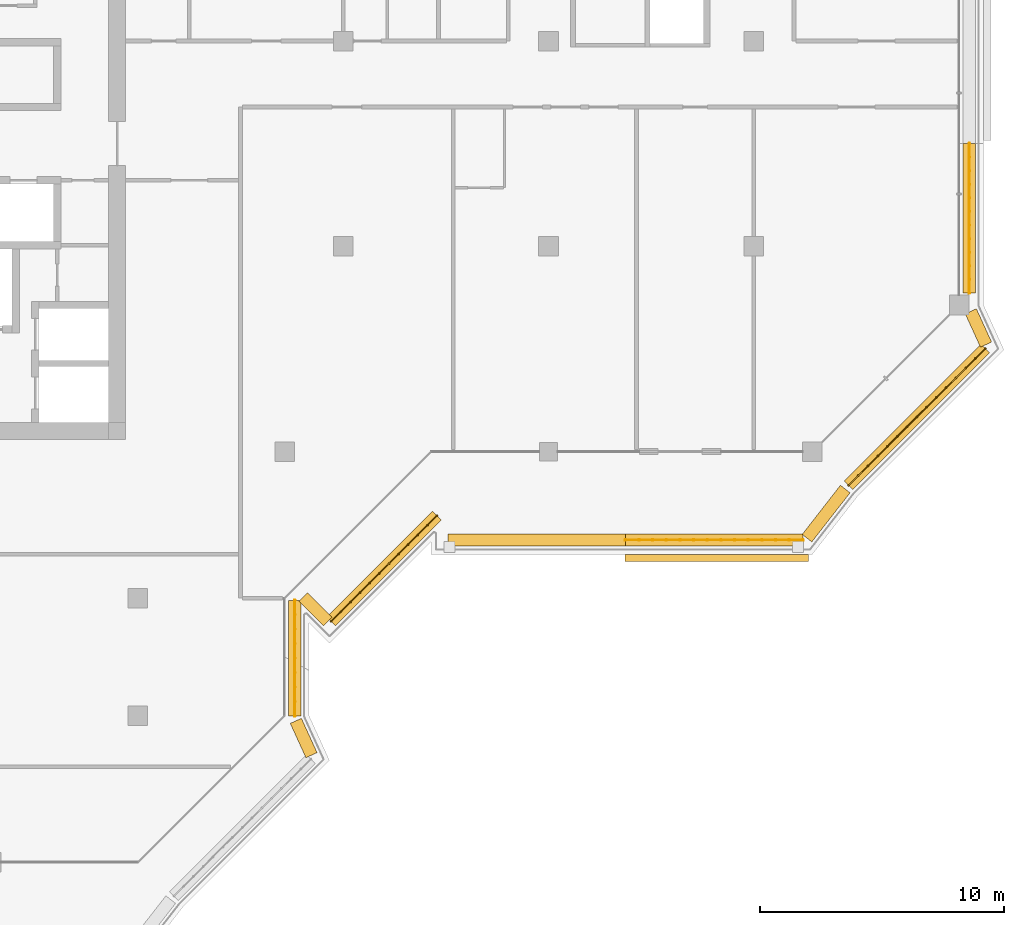
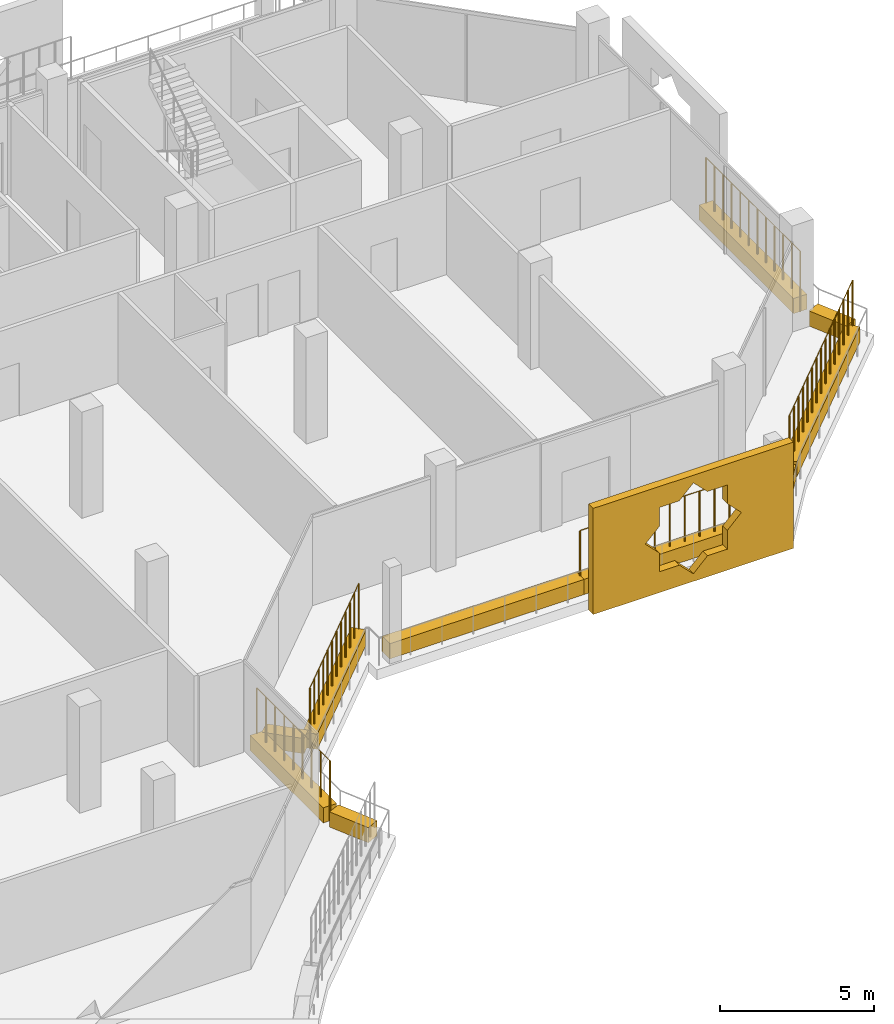
# One storey, part 18 of 21: 11 coverings, 5 railings.
"""IFC4 building model written with IfcOpenShell, lengths in metres."""

from ifc_helpers import new_model, si_unit, direction, frame, origin, origin_2d, place, context, subcontext, project, spatial, polyline, rectangle, circle, outline, extrude, material, material_profile, profile_set, type_object, element, save


model = new_model("IFC4")

# Units and contexts
model_context = context("Model", 3, precision=1e-05, world=origin(), true_north=direction((0.0, 1.0)))
body_context = subcontext(model_context, "Body", "Model", "MODEL_VIEW")
ifc_project = project(units=[si_unit("LENGTHUNIT", "METRE"), si_unit("AREAUNIT", "SQUARE_METRE"), si_unit("VOLUMEUNIT", "CUBIC_METRE"), si_unit("PLANEANGLEUNIT", "RADIAN"), si_unit("MASSUNIT", "GRAM", prefix="KILO")], contexts=[model_context])

# Site, building, storey
site_placement = place(None, origin())
site = spatial("IfcSite", under=ifc_project, at=site_placement, CompositionType="ELEMENT")
building_placement = place(site_placement, origin())
building = spatial("IfcBuilding", under=site, at=building_placement, Name="Kawkab Arch Medical Tower", CompositionType="ELEMENT")
storey_placement = place(building_placement, frame((0.0, 0.0, 302.800048828125)))
storey = spatial("IfcBuildingStorey", under=building, at=storey_placement, Name="L70", CompositionType="ELEMENT", Elevation=302.800048828125)

# Coverings
ifc_material_1 = material(Name="Bronze anodised aluminium mashrabiya panel, eight-point star pattern", Category="aluminium")
ifc_material_profile_1 = material_profile(ifc_material_1, outline(polyline([(-3.75, -2.10009765625), (3.75, -2.10009765625), (3.75, 2.10009765625), (-3.75, 2.10009765625), (-3.75, -2.10009765625)]), holes=[polyline([(1.800048828125, 0.0), (1.272705078125, 0.527099609375), (1.272705078125, 1.272705078125), (0.527099609375, 1.272705078125), (0.0, 1.800048828125), (-0.527099609375, 1.272705078125), (-1.272705078125, 1.272705078125), (-1.272705078125, 0.527099609375), (-1.800048828125, 0.0), (-1.272705078125, -0.527099609375), (-1.272705078125, -1.272705078125), (-0.527099609375, -1.272705078125), (0.0, -1.800048828125), (0.527099609375, -1.272705078125), (1.272705078125, -1.272705078125), (1.272705078125, -0.527099609375), (1.800048828125, 0.0)])]), Name="Mashrabiya panel 7500x4200")
ifc_profile_set_1 = profile_set([ifc_material_profile_1], Name="Bronze anodised aluminium mashrabiya panel, eight-point star pattern")
covering_type_1 = type_object("IfcCoveringType", Name="Mashrabiya panel 7500 x 4200", PredefinedType="USERDEFINED", material=ifc_profile_set_1)
covering_1_placement = place(storey_placement, frame((48.87890625, -29.39990234375, 1.699951171875), z_axis=(0.0, -1.0, 0.0), x_axis=(1.0, 0.0, 0.0)))
element("IfcCovering", 1, at=covering_1_placement, inside=storey, type_object=covering_type_1, Name="Mashrabiya panel L70.LOG-01-01.7", ObjectType="SCREEN", PredefinedType="USERDEFINED", context=body_context, shape_type="SweptSolid", body=[
    extrude(outline(polyline([(-3.75, -2.10009765625), (3.75, -2.10009765625), (3.75, 2.10009765625), (-3.75, 2.10009765625), (-3.75, -2.10009765625)]), holes=[polyline([(1.800048828125, 0.0), (1.272705078125, 0.527099609375), (1.272705078125, 1.272705078125), (0.527099609375, 1.272705078125), (0.0, 1.800048828125), (-0.527099609375, 1.272705078125), (-1.272705078125, 1.272705078125), (-1.272705078125, 0.527099609375), (-1.800048828125, 0.0), (-1.272705078125, -0.527099609375), (-1.272705078125, -1.272705078125), (-0.527099609375, -1.272705078125), (0.0, -1.800048828125), (0.527099609375, -1.272705078125), (1.272705078125, -1.272705078125), (1.272705078125, -0.527099609375), (1.800048828125, 0.0)])]), origin(), (0.0, 0.0, 1.0), 0.300048828125),
])
ifc_material_2 = material(Name="Planting soil in a precast trough", Category="concrete")
ifc_material_profile_2 = material_profile(ifc_material_2, rectangle(XDim=0.5, YDim=0.60009765625, at=origin_2d()), Name="Trough 500x600")
ifc_profile_set_2 = profile_set([ifc_material_profile_2], Name="Planting soil in a precast trough")
covering_type_2 = type_object("IfcCoveringType", Name="Planter trough 500 x 600", PredefinedType="USERDEFINED", material=ifc_profile_set_2)
covering_2_placement = place(storey_placement, frame((59.219970703125, -12.60009765625, 0.300048828125), z_axis=(0.0, -1.0, 0.0), x_axis=(1.0, 0.0, 0.0)))
element("IfcCovering", 2, at=covering_2_placement, inside=storey, type_object=covering_type_2, Name="Planter L70.LOG-01-01.23", ObjectType="PLANTER", PredefinedType="USERDEFINED", context=body_context, shape_type="SweptSolid", body=[
    extrude(rectangle(XDim=0.5, YDim=0.60009765625, at=origin_2d()), origin(), (0.0, 0.0, 1.0), 6.119873046875),
])
covering_3_placement = place(storey_placement, frame((59.280029296875, -19.4580078125, 0.300048828125), z_axis=(0.415189748133, -0.909734836667, 0.0), x_axis=(0.909734836667, 0.415189748133, 0.0)))
element("IfcCovering", 3, at=covering_3_placement, inside=storey, type_object=covering_type_2, Name="Planter L70.LOG-01-01.24", ObjectType="PLANTER", PredefinedType="USERDEFINED", context=body_context, shape_type="SweptSolid", body=[
    extrude(rectangle(XDim=0.5, YDim=0.60009765625, at=origin_2d()), origin(), (0.0, 0.0, 1.0), 1.498291015625),
])
covering_4_placement = place(storey_placement, frame((59.873046875, -20.98291015625, 0.300048828125), z_axis=(-0.707106781187, -0.707106781187, 0.0), x_axis=(0.707106781187, -0.707106781187, 0.0)))
element("IfcCovering", 4, at=covering_4_placement, inside=storey, type_object=covering_type_2, Name="Planter L70.LOG-01-01.25", ObjectType="PLANTER", PredefinedType="USERDEFINED", context=body_context, shape_type="SweptSolid", body=[
    extrude(rectangle(XDim=0.5, YDim=0.60009765625, at=origin_2d()), origin(), (0.0, 0.0, 1.0), 7.919677734375),
])
covering_5_placement = place(storey_placement, frame((54.14111328125, -26.73193359375, 0.300048828125), z_axis=(-0.614099956103, -0.789228258436, 0.0), x_axis=(0.789228258436, -0.614099956103, 0.0)))
element("IfcCovering", 5, at=covering_5_placement, inside=storey, type_object=covering_type_2, Name="Planter L70.LOG-01-01.26", ObjectType="PLANTER", PredefinedType="USERDEFINED", context=body_context, shape_type="SweptSolid", body=[
    extrude(rectangle(XDim=0.5, YDim=0.60009765625, at=origin_2d()), origin(), (0.0, 0.0, 1.0), 2.545654296875),
])
for number, where, z_axis, x_axis, name in (
    (6, (52.416015625, -28.820068359375, 0.300048828125), (-1.0, 0.0, 0.0), (0.0, -1.0, 0.0), "Planter L70.LOG-01-01.27"),
    (7, (45.14794921875, -28.820068359375, 0.300048828125), (-1.0, 0.0, 0.0), (0.0, -1.0, 0.0), "Planter L70.LOG-01-01.28"),
):
    element("IfcCovering", number, at=place(storey_placement, frame(where, z_axis=z_axis, x_axis=x_axis)), inside=storey, type_object=covering_type_2, Name=name, ObjectType="PLANTER", PredefinedType="USERDEFINED", context=body_context, shape_type="SweptSolid", body=[
        extrude(rectangle(XDim=0.5, YDim=0.60009765625, at=origin_2d()), origin(), (0.0, 0.0, 1.0), 7.26806640625),
    ])
covering_6_placement = place(storey_placement, frame((37.43701171875, -27.820068359375, 0.300048828125), z_axis=(-0.707206504313, -0.707007043994, 0.0), x_axis=(0.707007043994, -0.707206504313, 0.0)))
element("IfcCovering", 8, at=covering_6_placement, inside=storey, type_object=covering_type_2, Name="Planter L70.LOG-01-01.29", ObjectType="PLANTER", PredefinedType="USERDEFINED", context=body_context, shape_type="SweptSolid", body=[
    extrude(rectangle(XDim=0.5, YDim=0.60009765625, at=origin_2d()), origin(), (0.0, 0.0, 1.0), 6.1201171875),
])
covering_7_placement = place(storey_placement, frame((32.967041015625, -32.14697265625, 0.300048828125), z_axis=(-0.707192746389, 0.707020805532, 0.0), x_axis=(-0.707020805532, -0.707192746389, 0.0)))
element("IfcCovering", 9, at=covering_7_placement, inside=storey, type_object=covering_type_2, Name="Planter L70.LOG-01-01.30", ObjectType="PLANTER", PredefinedType="USERDEFINED", context=body_context, shape_type="SweptSolid", body=[
    extrude(rectangle(XDim=0.5, YDim=0.60009765625, at=origin_2d()), origin(), (0.0, 0.0, 1.0), 1.419921875),
])
covering_8_placement = place(storey_placement, frame((31.6201171875, -31.284912109375, 0.300048828125), z_axis=(0.0, -1.0, 0.0), x_axis=(1.0, 0.0, 0.0)))
element("IfcCovering", 10, at=covering_8_placement, inside=storey, type_object=covering_type_2, Name="Planter L70.LOG-01-01.31", ObjectType="PLANTER", PredefinedType="USERDEFINED", context=body_context, shape_type="SweptSolid", body=[
    extrude(rectangle(XDim=0.5, YDim=0.60009765625, at=origin_2d()), origin(), (0.0, 0.0, 1.0), 4.740966796875),
])
covering_9_placement = place(storey_placement, frame((31.660888671875, -36.217041015625, 0.300048828125), z_axis=(0.415363486165, -0.909655525109, 0.0), x_axis=(0.909655525109, 0.415363486165, 0.0)))
element("IfcCovering", 11, at=covering_9_placement, inside=storey, type_object=covering_type_2, Name="Planter L70.LOG-01-01.32", ObjectType="PLANTER", PredefinedType="USERDEFINED", context=body_context, shape_type="SweptSolid", body=[
    extrude(rectangle(XDim=0.5, YDim=0.60009765625, at=origin_2d()), origin(), (0.0, 0.0, 1.0), 1.54345703125),
])

# Railings
ifc_material_3 = material(Name="Bronze anodised aluminium trellis for climbing plants", Category="aluminium")
railing_type = type_object("IfcRailingType", Name="Planting trellis 2400", PredefinedType="USERDEFINED", material=ifc_material_3)
railing_1_placement = place(storey_placement, frame((59.219970703125, -12.60009765625, 0.0)))
element("IfcRailing", 12, at=railing_1_placement, inside=storey, type_object=railing_type, Name="Planting trellis L70.LOG-01-01.23", ObjectType="TRELLIS", PredefinedType="USERDEFINED", context=body_context, shape_type="SweptSolid", body=[
    extrude(circle(Radius=0.01513671875, at=origin_2d()), frame((0.0, 0.0, 2.384765625), z_axis=(0.0, -1.0, 0.0), x_axis=(1.0, 0.0, 0.0)), (0.0, 0.0, 1.0), 6.119873046875),
    extrude(circle(Radius=0.030029296875, at=origin_2d()), origin(), (0.0, 0.0, 1.0), 2.369873046875),
    extrude(circle(Radius=0.030029296875, at=origin_2d()), frame((0.0, -0.556396484375, 0.0)), (0.0, 0.0, 1.0), 2.369873046875),
    extrude(circle(Radius=0.030029296875, at=origin_2d()), frame((0.0, -1.11279296875, 0.0)), (0.0, 0.0, 1.0), 2.369873046875),
    extrude(circle(Radius=0.030029296875, at=origin_2d()), frame((0.0, -1.6689453125, 0.0)), (0.0, 0.0, 1.0), 2.369873046875),
    extrude(circle(Radius=0.030029296875, at=origin_2d()), frame((0.0, -2.225341796875, 0.0)), (0.0, 0.0, 1.0), 2.369873046875),
    extrude(circle(Radius=0.030029296875, at=origin_2d()), frame((0.0, -2.78173828125, 0.0)), (0.0, 0.0, 1.0), 2.369873046875),
    extrude(circle(Radius=0.030029296875, at=origin_2d()), frame((0.0, -3.338134765625, 0.0)), (0.0, 0.0, 1.0), 2.369873046875),
    extrude(circle(Radius=0.030029296875, at=origin_2d()), frame((0.0, -3.89453125, 0.0)), (0.0, 0.0, 1.0), 2.369873046875),
    extrude(circle(Radius=0.030029296875, at=origin_2d()), frame((0.0, -4.450927734375, 0.0)), (0.0, 0.0, 1.0), 2.369873046875),
    extrude(circle(Radius=0.030029296875, at=origin_2d()), frame((0.0, -5.007080078125, 0.0)), (0.0, 0.0, 1.0), 2.369873046875),
    extrude(circle(Radius=0.030029296875, at=origin_2d()), frame((0.0, -5.5634765625, 0.0)), (0.0, 0.0, 1.0), 2.369873046875),
    extrude(circle(Radius=0.030029296875, at=origin_2d()), frame((0.0, -6.119873046875, 0.0)), (0.0, 0.0, 1.0), 2.369873046875),
])
railing_2_placement = place(storey_placement, frame((59.873046875, -20.98291015625, 0.0)))
element("IfcRailing", 13, at=railing_2_placement, inside=storey, type_object=railing_type, Name="Planting trellis L70.LOG-01-01.25", ObjectType="TRELLIS", PredefinedType="USERDEFINED", context=body_context, shape_type="SweptSolid", body=[
    extrude(circle(Radius=0.01513671875, at=origin_2d()), frame((0.0, 0.0, 2.384765625), z_axis=(-0.707106781187, -0.707106781187, 0.0), x_axis=(0.707106781187, -0.707106781187, 0.0)), (0.0, 0.0, 1.0), 7.919677734375),
    extrude(circle(Radius=0.030029296875, at=origin_2d()), origin(), (0.0, 0.0, 1.0), 2.369873046875),
    extrude(circle(Radius=0.030029296875, at=origin_2d()), frame((-0.39990234375, -0.39990234375, 0.0)), (0.0, 0.0, 1.0), 2.369873046875),
    extrude(circle(Radius=0.030029296875, at=origin_2d()), frame((-0.800048828125, -0.800048828125, 0.0)), (0.0, 0.0, 1.0), 2.369873046875),
    extrude(circle(Radius=0.030029296875, at=origin_2d()), frame((-1.199951171875, -1.199951171875, 0.0)), (0.0, 0.0, 1.0), 2.369873046875),
    extrude(circle(Radius=0.030029296875, at=origin_2d()), frame((-1.60009765625, -1.60009765625, 0.0)), (0.0, 0.0, 1.0), 2.369873046875),
    extrude(circle(Radius=0.030029296875, at=origin_2d()), frame((-2.0, -2.0, 0.0)), (0.0, 0.0, 1.0), 2.369873046875),
    extrude(circle(Radius=0.030029296875, at=origin_2d()), frame((-2.400146484375, -2.400146484375, 0.0)), (0.0, 0.0, 1.0), 2.369873046875),
    extrude(circle(Radius=0.030029296875, at=origin_2d()), frame((-2.800048828125, -2.800048828125, 0.0)), (0.0, 0.0, 1.0), 2.369873046875),
    extrude(circle(Radius=0.030029296875, at=origin_2d()), frame((-3.199951171875, -3.199951171875, 0.0)), (0.0, 0.0, 1.0), 2.369873046875),
    extrude(circle(Radius=0.030029296875, at=origin_2d()), frame((-3.60009765625, -3.60009765625, 0.0)), (0.0, 0.0, 1.0), 2.369873046875),
    extrude(circle(Radius=0.030029296875, at=origin_2d()), frame((-4.0, -4.0, 0.0)), (0.0, 0.0, 1.0), 2.369873046875),
    extrude(circle(Radius=0.030029296875, at=origin_2d()), frame((-4.400146484375, -4.400146484375, 0.0)), (0.0, 0.0, 1.0), 2.369873046875),
    extrude(circle(Radius=0.030029296875, at=origin_2d()), frame((-4.800048828125, -4.800048828125, 0.0)), (0.0, 0.0, 1.0), 2.369873046875),
    extrude(circle(Radius=0.030029296875, at=origin_2d()), frame((-5.2001953125, -5.2001953125, 0.0)), (0.0, 0.0, 1.0), 2.369873046875),
    extrude(circle(Radius=0.030029296875, at=origin_2d()), frame((-5.60009765625, -5.60009765625, 0.0)), (0.0, 0.0, 1.0), 2.369873046875),
])
railing_3_placement = place(storey_placement, frame((52.416015625, -28.820068359375, 0.0)))
element("IfcRailing", 14, at=railing_3_placement, inside=storey, type_object=railing_type, Name="Planting trellis L70.LOG-01-01.27", ObjectType="TRELLIS", PredefinedType="USERDEFINED", context=body_context, shape_type="SweptSolid", body=[
    extrude(circle(Radius=0.01513671875, at=origin_2d()), frame((0.0, 0.0, 2.384765625), z_axis=(-1.0, 0.0, 0.0), x_axis=(0.0, -1.0, 0.0)), (0.0, 0.0, 1.0), 7.26806640625),
    extrude(circle(Radius=0.030029296875, at=origin_2d()), origin(), (0.0, 0.0, 1.0), 2.369873046875),
    extrude(circle(Radius=0.030029296875, at=origin_2d()), frame((-0.55908203125, 0.0, 0.0)), (0.0, 0.0, 1.0), 2.369873046875),
    extrude(circle(Radius=0.030029296875, at=origin_2d()), frame((-1.1181640625, 0.0, 0.0)), (0.0, 0.0, 1.0), 2.369873046875),
    extrude(circle(Radius=0.030029296875, at=origin_2d()), frame((-1.67724609375, 0.0, 0.0)), (0.0, 0.0, 1.0), 2.369873046875),
    extrude(circle(Radius=0.030029296875, at=origin_2d()), frame((-2.236328125, 0.0, 0.0)), (0.0, 0.0, 1.0), 2.369873046875),
    extrude(circle(Radius=0.030029296875, at=origin_2d()), frame((-2.79541015625, 0.0, 0.0)), (0.0, 0.0, 1.0), 2.369873046875),
    extrude(circle(Radius=0.030029296875, at=origin_2d()), frame((-3.3544921875, 0.0, 0.0)), (0.0, 0.0, 1.0), 2.369873046875),
    extrude(circle(Radius=0.030029296875, at=origin_2d()), frame((-3.91357421875, 0.0, 0.0)), (0.0, 0.0, 1.0), 2.369873046875),
    extrude(circle(Radius=0.030029296875, at=origin_2d()), frame((-4.47265625, 0.0, 0.0)), (0.0, 0.0, 1.0), 2.369873046875),
    extrude(circle(Radius=0.030029296875, at=origin_2d()), frame((-5.03173828125, 0.0, 0.0)), (0.0, 0.0, 1.0), 2.369873046875),
    extrude(circle(Radius=0.030029296875, at=origin_2d()), frame((-5.5908203125, 0.0, 0.0)), (0.0, 0.0, 1.0), 2.369873046875),
    extrude(circle(Radius=0.030029296875, at=origin_2d()), frame((-6.14990234375, 0.0, 0.0)), (0.0, 0.0, 1.0), 2.369873046875),
    extrude(circle(Radius=0.030029296875, at=origin_2d()), frame((-6.708984375, 0.0, 0.0)), (0.0, 0.0, 1.0), 2.369873046875),
    extrude(circle(Radius=0.030029296875, at=origin_2d()), frame((-7.26806640625, 0.0, 0.0)), (0.0, 0.0, 1.0), 2.369873046875),
])
railing_4_placement = place(storey_placement, frame((37.43701171875, -27.820068359375, 0.0)))
element("IfcRailing", 15, at=railing_4_placement, inside=storey, type_object=railing_type, Name="Planting trellis L70.LOG-01-01.29", ObjectType="TRELLIS", PredefinedType="USERDEFINED", context=body_context, shape_type="SweptSolid", body=[
    extrude(circle(Radius=0.01513671875, at=origin_2d()), frame((0.0, 0.0, 2.384765625), z_axis=(-0.707206504313, -0.707007043994, 0.0), x_axis=(0.707007043994, -0.707206504313, 0.0)), (0.0, 0.0, 1.0), 6.1201171875),
    extrude(circle(Radius=0.030029296875, at=origin_2d()), origin(), (0.0, 0.0, 1.0), 2.369873046875),
    extrude(circle(Radius=0.030029296875, at=origin_2d()), frame((-0.3935546875, -0.393310546875, 0.0)), (0.0, 0.0, 1.0), 2.369873046875),
    extrude(circle(Radius=0.030029296875, at=origin_2d()), frame((-0.786865234375, -0.78662109375, 0.0)), (0.0, 0.0, 1.0), 2.369873046875),
    extrude(circle(Radius=0.030029296875, at=origin_2d()), frame((-1.180419921875, -1.18017578125, 0.0)), (0.0, 0.0, 1.0), 2.369873046875),
    extrude(circle(Radius=0.030029296875, at=origin_2d()), frame((-1.573974609375, -1.573486328125, 0.0)), (0.0, 0.0, 1.0), 2.369873046875),
    extrude(circle(Radius=0.030029296875, at=origin_2d()), frame((-1.96728515625, -1.966796875, 0.0)), (0.0, 0.0, 1.0), 2.369873046875),
    extrude(circle(Radius=0.030029296875, at=origin_2d()), frame((-2.36083984375, -2.360107421875, 0.0)), (0.0, 0.0, 1.0), 2.369873046875),
    extrude(circle(Radius=0.030029296875, at=origin_2d()), frame((-2.754150390625, -2.75341796875, 0.0)), (0.0, 0.0, 1.0), 2.369873046875),
    extrude(circle(Radius=0.030029296875, at=origin_2d()), frame((-3.147705078125, -3.146728515625, 0.0)), (0.0, 0.0, 1.0), 2.369873046875),
    extrude(circle(Radius=0.030029296875, at=origin_2d()), frame((-3.541259765625, -3.540283203125, 0.0)), (0.0, 0.0, 1.0), 2.369873046875),
    extrude(circle(Radius=0.030029296875, at=origin_2d()), frame((-3.9345703125, -3.93359375, 0.0)), (0.0, 0.0, 1.0), 2.369873046875),
    extrude(circle(Radius=0.030029296875, at=origin_2d()), frame((-4.328125, -4.326904296875, 0.0)), (0.0, 0.0, 1.0), 2.369873046875),
])
railing_5_placement = place(storey_placement, frame((31.6201171875, -31.284912109375, 0.0)))
element("IfcRailing", 16, at=railing_5_placement, inside=storey, type_object=railing_type, Name="Planting trellis L70.LOG-01-01.31", ObjectType="TRELLIS", PredefinedType="USERDEFINED", context=body_context, shape_type="SweptSolid", body=[
    extrude(circle(Radius=0.01513671875, at=origin_2d()), frame((0.0, 0.0, 2.384765625), z_axis=(0.0, -1.0, 0.0), x_axis=(1.0, 0.0, 0.0)), (0.0, 0.0, 1.0), 4.740966796875),
    extrude(circle(Radius=0.030029296875, at=origin_2d()), origin(), (0.0, 0.0, 1.0), 2.369873046875),
    extrude(circle(Radius=0.030029296875, at=origin_2d()), frame((0.0, -0.592529296875, 0.0)), (0.0, 0.0, 1.0), 2.369873046875),
    extrude(circle(Radius=0.030029296875, at=origin_2d()), frame((0.0, -1.185302734375, 0.0)), (0.0, 0.0, 1.0), 2.369873046875),
    extrude(circle(Radius=0.030029296875, at=origin_2d()), frame((0.0, -1.77783203125, 0.0)), (0.0, 0.0, 1.0), 2.369873046875),
    extrude(circle(Radius=0.030029296875, at=origin_2d()), frame((0.0, -2.37060546875, 0.0)), (0.0, 0.0, 1.0), 2.369873046875),
    extrude(circle(Radius=0.030029296875, at=origin_2d()), frame((0.0, -2.963134765625, 0.0)), (0.0, 0.0, 1.0), 2.369873046875),
    extrude(circle(Radius=0.030029296875, at=origin_2d()), frame((0.0, -3.5556640625, 0.0)), (0.0, 0.0, 1.0), 2.369873046875),
    extrude(circle(Radius=0.030029296875, at=origin_2d()), frame((0.0, -4.1484375, 0.0)), (0.0, 0.0, 1.0), 2.369873046875),
    extrude(circle(Radius=0.030029296875, at=origin_2d()), frame((0.0, -4.740966796875, 0.0)), (0.0, 0.0, 1.0), 2.369873046875),
])

save(model, "model.ifc")
